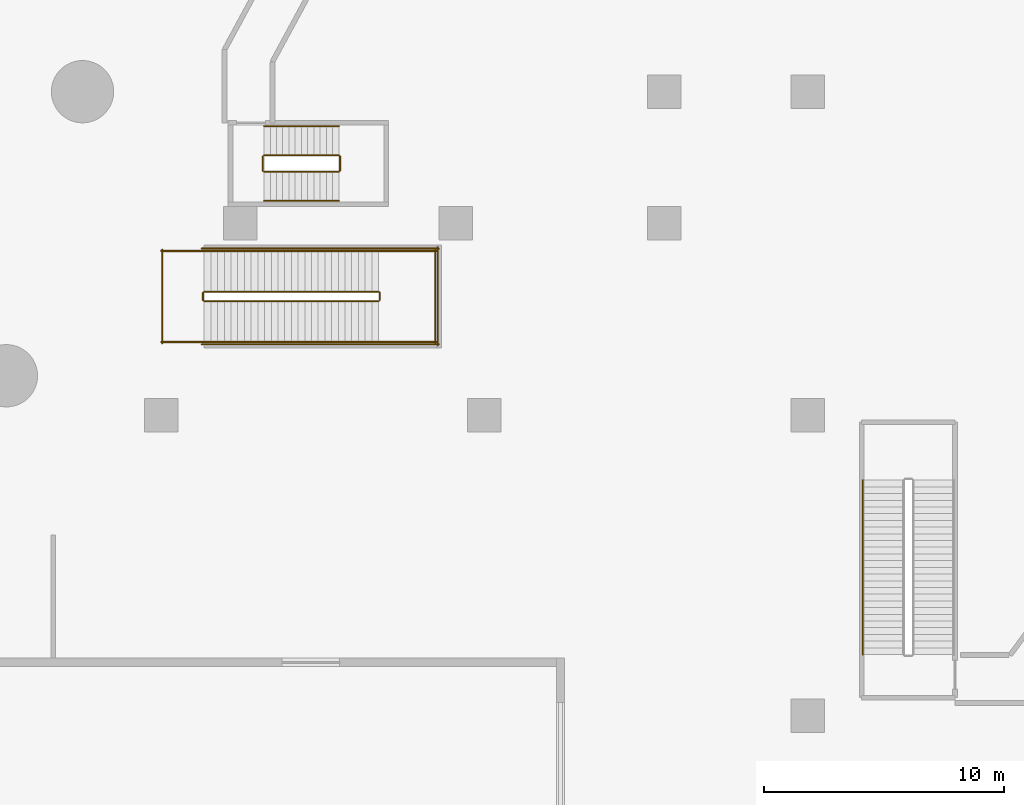
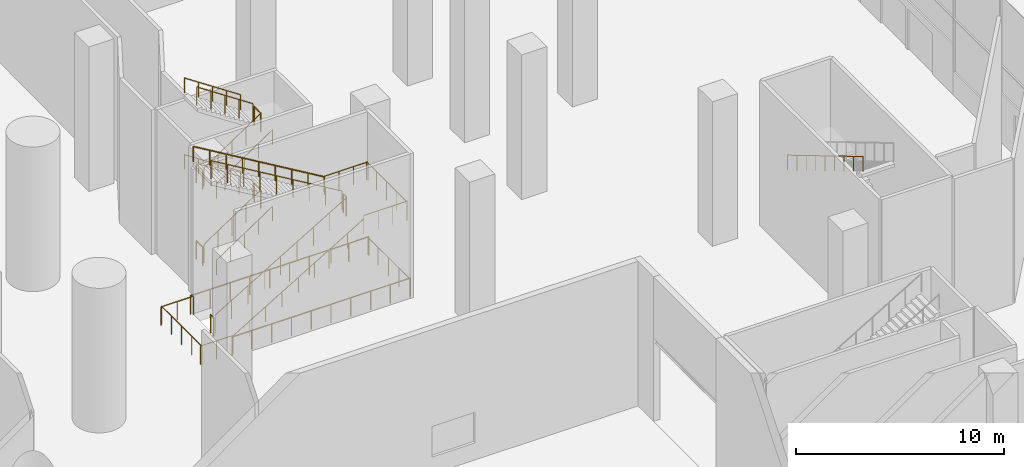
# One storey, part 44 of 54: 28 railings.
"""IFC4 building model written with IfcOpenShell, lengths in metres."""

from ifc_helpers import new_model, si_unit, direction, frame, origin, origin_2d, place, context, subcontext, project, spatial, circle, extrude, material, type_object, element, save


model = new_model("IFC4")

# Units and contexts
model_context = context("Model", 3, precision=1e-05, world=origin(), true_north=direction((0.0, 1.0)))
body_context = subcontext(model_context, "Body", "Model", "MODEL_VIEW")
ifc_project = project(units=[si_unit("LENGTHUNIT", "METRE"), si_unit("AREAUNIT", "SQUARE_METRE"), si_unit("VOLUMEUNIT", "CUBIC_METRE"), si_unit("PLANEANGLEUNIT", "RADIAN"), si_unit("MASSUNIT", "GRAM", prefix="KILO")], contexts=[model_context])

# Site, building, storey
site_placement = place(None, origin())
site = spatial("IfcSite", under=ifc_project, at=site_placement, CompositionType="ELEMENT")
building_placement = place(site_placement, origin())
building = spatial("IfcBuilding", under=site, at=building_placement, Name="Tamarind Cross Interchange Tower", CompositionType="ELEMENT")
storey_placement = place(building_placement, origin())
storey = spatial("IfcBuildingStorey", under=building, at=storey_placement, Name="L00", CompositionType="ELEMENT", Elevation=0.0)

# Railings
ifc_material_1 = material(Name="Public stair guard")
railing_type_1 = type_object("IfcRailingType", Name="Public stair guard", PredefinedType="GUARDRAIL", material=ifc_material_1)
railing_1_placement = place(storey_placement, frame((28.800048828125, -8.75, 0.166748046875)))
element("IfcRailing", 1, at=railing_1_placement, inside=storey, type_object=railing_type_1, Name="L00 PS-E stair guard 1", PredefinedType="GUARDRAIL", context=body_context, shape_type="SweptSolid", body=[
    extrude(circle(Radius=0.02392578125, at=origin_2d()), frame((0.0, 0.0, 1.076171875), z_axis=(0.859298010897, 0.0, 0.511475247171), x_axis=(0.0, 1.0, 0.0)), (0.0, 0.0, 1.0), 8.47216796875),
    extrude(circle(Radius=0.02099609375, at=origin_2d()), origin(), (0.0, 0.0, 1.0), 1.052001953125),
    extrude(circle(Radius=0.02099609375, at=origin_2d()), frame((0.909912109375, 0.0, 0.541748046875)), (0.0, 0.0, 1.0), 1.052001953125),
    extrude(circle(Radius=0.02099609375, at=origin_2d()), frame((1.820068359375, 0.0, 1.083251953125)), (0.0, 0.0, 1.0), 1.052001953125),
    extrude(circle(Radius=0.02099609375, at=origin_2d()), frame((2.72998046875, 0.0, 1.625)), (0.0, 0.0, 1.0), 1.052001953125),
    extrude(circle(Radius=0.02099609375, at=origin_2d()), frame((3.64013671875, 0.0, 2.16650390625)), (0.0, 0.0, 1.0), 1.052001953125),
    extrude(circle(Radius=0.02099609375, at=origin_2d()), frame((4.550048828125, 0.0, 2.708251953125)), (0.0, 0.0, 1.0), 1.052001953125),
    extrude(circle(Radius=0.02099609375, at=origin_2d()), frame((5.4599609375, 0.0, 3.25)), (0.0, 0.0, 1.0), 1.052001953125),
    extrude(circle(Radius=0.02099609375, at=origin_2d()), frame((6.3701171875, 0.0, 3.79150390625)), (0.0, 0.0, 1.0), 1.052001953125),
    extrude(circle(Radius=0.02099609375, at=origin_2d()), frame((7.280029296875, 0.0, 4.333251953125)), (0.0, 0.0, 1.0), 1.052001953125),
])
railing_2_placement = place(storey_placement, frame((36.1298828125, -8.699951171875, 4.5)))
element("IfcRailing", 2, at=railing_2_placement, inside=storey, type_object=railing_type_1, Name="L00 PS-E stair guard 2", PredefinedType="GUARDRAIL", context=body_context, shape_type="SweptSolid", body=[
    extrude(circle(Radius=0.02392578125, at=origin_2d()), frame((0.0, 0.0, 1.076171875), z_axis=(0.0, 1.0, 0.0), x_axis=(-1.0, 0.0, 0.0)), (0.0, 0.0, 1.0), 0.300048828125),
    extrude(circle(Radius=0.02099609375, at=origin_2d()), origin(), (0.0, 0.0, 1.0), 1.052001953125),
    extrude(circle(Radius=0.02099609375, at=origin_2d()), frame((0.0, 0.300048828125, 0.0)), (0.0, 0.0, 1.0), 1.052001953125),
])
for number, where, name in (
    (3, (36.080078125, -10.449951171875, 4.5), "L00 PS-E stair guard 3"),
    (4, (36.080078125, -6.64990234375, 4.5), "L00 PS-E stair guard 4"),
):
    element("IfcRailing", number, at=place(storey_placement, frame(where)), inside=storey, type_object=railing_type_1, Name=name, PredefinedType="GUARDRAIL", context=body_context, shape_type="SweptSolid", body=[
        extrude(circle(Radius=0.02392578125, at=origin_2d()), frame((0.0, 0.0, 1.076171875), z_axis=(1.0, 0.0, 0.0), x_axis=(0.0, 1.0, 0.0)), (0.0, 0.0, 1.0), 2.419921875),
        extrude(circle(Radius=0.02099609375, at=origin_2d()), origin(), (0.0, 0.0, 1.0), 1.052001953125),
        extrude(circle(Radius=0.02099609375, at=origin_2d()), frame((0.806640625, 0.0, 0.0)), (0.0, 0.0, 1.0), 1.052001953125),
        extrude(circle(Radius=0.02099609375, at=origin_2d()), frame((1.61328125, 0.0, 0.0)), (0.0, 0.0, 1.0), 1.052001953125),
        extrude(circle(Radius=0.02099609375, at=origin_2d()), frame((2.419921875, 0.0, 0.0)), (0.0, 0.0, 1.0), 1.052001953125),
    ])
railing_3_placement = place(storey_placement, frame((38.449951171875, -10.5, 4.5)))
element("IfcRailing", 5, at=railing_3_placement, inside=storey, type_object=railing_type_1, Name="L00 PS-E stair guard 5", PredefinedType="GUARDRAIL", context=body_context, shape_type="SweptSolid", body=[
    extrude(circle(Radius=0.02392578125, at=origin_2d()), frame((0.0, 0.0, 1.076171875), z_axis=(0.0, 1.0, 0.0), x_axis=(-1.0, 0.0, 0.0)), (0.0, 0.0, 1.0), 3.89990234375),
    extrude(circle(Radius=0.02099609375, at=origin_2d()), origin(), (0.0, 0.0, 1.0), 1.052001953125),
    extrude(circle(Radius=0.02099609375, at=origin_2d()), frame((0.0, 0.97509765625, 0.0)), (0.0, 0.0, 1.0), 1.052001953125),
    extrude(circle(Radius=0.02099609375, at=origin_2d()), frame((0.0, 1.949951171875, 0.0)), (0.0, 0.0, 1.0), 1.052001953125),
    extrude(circle(Radius=0.02099609375, at=origin_2d()), frame((0.0, 2.9248046875, 0.0)), (0.0, 0.0, 1.0), 1.052001953125),
    extrude(circle(Radius=0.02099609375, at=origin_2d()), frame((0.0, 3.89990234375, 0.0)), (0.0, 0.0, 1.0), 1.052001953125),
])
railing_4_placement = place(storey_placement, frame((36.080078125, -8.35009765625, 4.666748046875)))
element("IfcRailing", 6, at=railing_4_placement, inside=storey, type_object=railing_type_1, Name="L00 PS-E stair guard 6", PredefinedType="GUARDRAIL", context=body_context, shape_type="SweptSolid", body=[
    extrude(circle(Radius=0.02392578125, at=origin_2d()), frame((0.0, 0.0, 1.076171875), z_axis=(-0.859298010897, 0.0, 0.511475247171), x_axis=(0.0, -1.0, 0.0)), (0.0, 0.0, 1.0), 8.47216796875),
    extrude(circle(Radius=0.02099609375, at=origin_2d()), origin(), (0.0, 0.0, 1.0), 1.052001953125),
    extrude(circle(Radius=0.02099609375, at=origin_2d()), frame((-0.909912109375, 0.0, 0.541748046875)), (0.0, 0.0, 1.0), 1.052001953125),
    extrude(circle(Radius=0.02099609375, at=origin_2d()), frame((-1.820068359375, 0.0, 1.083251953125)), (0.0, 0.0, 1.0), 1.052001953125),
    extrude(circle(Radius=0.02099609375, at=origin_2d()), frame((-2.72998046875, 0.0, 1.625)), (0.0, 0.0, 1.0), 1.052001953125),
    extrude(circle(Radius=0.02099609375, at=origin_2d()), frame((-3.64013671875, 0.0, 2.16650390625)), (0.0, 0.0, 1.0), 1.052001953125),
    extrude(circle(Radius=0.02099609375, at=origin_2d()), frame((-4.550048828125, 0.0, 2.708251953125)), (0.0, 0.0, 1.0), 1.052001953125),
    extrude(circle(Radius=0.02099609375, at=origin_2d()), frame((-5.4599609375, 0.0, 3.25)), (0.0, 0.0, 1.0), 1.052001953125),
    extrude(circle(Radius=0.02099609375, at=origin_2d()), frame((-6.3701171875, 0.0, 3.79150390625)), (0.0, 0.0, 1.0), 1.052001953125),
    extrude(circle(Radius=0.02099609375, at=origin_2d()), frame((-7.280029296875, 0.0, 4.333251953125)), (0.0, 0.0, 1.0), 1.052001953125),
])
railing_5_placement = place(storey_placement, frame((28.75, -8.699951171875, 0.0)))
element("IfcRailing", 7, at=railing_5_placement, inside=storey, type_object=railing_type_1, Name="L00 PS-E stair guard 7", PredefinedType="GUARDRAIL", context=body_context, shape_type="SweptSolid", body=[
    extrude(circle(Radius=0.02392578125, at=origin_2d()), frame((0.0, 0.0, 1.076171875), z_axis=(0.0, 1.0, 0.0), x_axis=(-1.0, 0.0, 0.0)), (0.0, 0.0, 1.0), 0.300048828125),
    extrude(circle(Radius=0.02099609375, at=origin_2d()), origin(), (0.0, 0.0, 1.0), 1.052001953125),
    extrude(circle(Radius=0.02099609375, at=origin_2d()), frame((0.0, 0.300048828125, 0.0)), (0.0, 0.0, 1.0), 1.052001953125),
])
for number, where, name in (
    (8, (27.0, -10.449951171875, 0.0), "L00 PS-E stair guard 8"),
    (9, (27.0, -6.64990234375, 0.0), "L00 PS-E stair guard 9"),
):
    element("IfcRailing", number, at=place(storey_placement, frame(where)), inside=storey, type_object=railing_type_1, Name=name, PredefinedType="GUARDRAIL", context=body_context, shape_type="SweptSolid", body=[
        extrude(circle(Radius=0.02392578125, at=origin_2d()), frame((0.0, 0.0, 1.076171875), z_axis=(1.0, 0.0, 0.0), x_axis=(0.0, 1.0, 0.0)), (0.0, 0.0, 1.0), 1.800048828125),
        extrude(circle(Radius=0.02099609375, at=origin_2d()), origin(), (0.0, 0.0, 1.0), 1.052001953125),
        extrude(circle(Radius=0.02099609375, at=origin_2d()), frame((0.89990234375, 0.0, 0.0)), (0.0, 0.0, 1.0), 1.052001953125),
        extrude(circle(Radius=0.02099609375, at=origin_2d()), frame((1.800048828125, 0.0, 0.0)), (0.0, 0.0, 1.0), 1.052001953125),
    ])
railing_6_placement = place(storey_placement, frame((27.050048828125, -10.5, 0.0)))
element("IfcRailing", 10, at=railing_6_placement, inside=storey, type_object=railing_type_1, Name="L00 PS-E stair guard 10", PredefinedType="GUARDRAIL", context=body_context, shape_type="SweptSolid", body=[
    extrude(circle(Radius=0.02392578125, at=origin_2d()), frame((0.0, 0.0, 1.076171875), z_axis=(0.0, 1.0, 0.0), x_axis=(-1.0, 0.0, 0.0)), (0.0, 0.0, 1.0), 3.89990234375),
    extrude(circle(Radius=0.02099609375, at=origin_2d()), origin(), (0.0, 0.0, 1.0), 1.052001953125),
    extrude(circle(Radius=0.02099609375, at=origin_2d()), frame((0.0, 0.97509765625, 0.0)), (0.0, 0.0, 1.0), 1.052001953125),
    extrude(circle(Radius=0.02099609375, at=origin_2d()), frame((0.0, 1.949951171875, 0.0)), (0.0, 0.0, 1.0), 1.052001953125),
    extrude(circle(Radius=0.02099609375, at=origin_2d()), frame((0.0, 2.9248046875, 0.0)), (0.0, 0.0, 1.0), 1.052001953125),
    extrude(circle(Radius=0.02099609375, at=origin_2d()), frame((0.0, 3.89990234375, 0.0)), (0.0, 0.0, 1.0), 1.052001953125),
])
for number, where, name in (
    (11, (28.699951171875, -10.550048828125, 0.0), "L00 PS-E stair guard 11"),
    (12, (28.699951171875, -6.550048828125, 0.0), "L00 PS-E stair guard 12"),
):
    element("IfcRailing", number, at=place(storey_placement, frame(where)), inside=storey, type_object=railing_type_1, Name=name, PredefinedType="GUARDRAIL", context=body_context, shape_type="SweptSolid", body=[
        extrude(circle(Radius=0.02392578125, at=origin_2d()), frame((0.0, 0.0, 1.076171875), z_axis=(1.0, 0.0, 0.0), x_axis=(0.0, 1.0, 0.0)), (0.0, 0.0, 1.0), 9.900146484375),
        extrude(circle(Radius=0.02099609375, at=origin_2d()), origin(), (0.0, 0.0, 1.0), 1.052001953125),
        extrude(circle(Radius=0.02099609375, at=origin_2d()), frame((1.10009765625, 0.0, 0.0)), (0.0, 0.0, 1.0), 1.052001953125),
        extrude(circle(Radius=0.02099609375, at=origin_2d()), frame((2.199951171875, 0.0, 0.0)), (0.0, 0.0, 1.0), 1.052001953125),
        extrude(circle(Radius=0.02099609375, at=origin_2d()), frame((3.300048828125, 0.0, 0.0)), (0.0, 0.0, 1.0), 1.052001953125),
        extrude(circle(Radius=0.02099609375, at=origin_2d()), frame((4.400146484375, 0.0, 0.0)), (0.0, 0.0, 1.0), 1.052001953125),
        extrude(circle(Radius=0.02099609375, at=origin_2d()), frame((5.5, 0.0, 0.0)), (0.0, 0.0, 1.0), 1.052001953125),
        extrude(circle(Radius=0.02099609375, at=origin_2d()), frame((6.60009765625, 0.0, 0.0)), (0.0, 0.0, 1.0), 1.052001953125),
        extrude(circle(Radius=0.02099609375, at=origin_2d()), frame((7.7001953125, 0.0, 0.0)), (0.0, 0.0, 1.0), 1.052001953125),
        extrude(circle(Radius=0.02099609375, at=origin_2d()), frame((8.800048828125, 0.0, 0.0)), (0.0, 0.0, 1.0), 1.052001953125),
        extrude(circle(Radius=0.02099609375, at=origin_2d()), frame((9.900146484375, 0.0, 0.0)), (0.0, 0.0, 1.0), 1.052001953125),
    ])
railing_7_placement = place(storey_placement, frame((38.550048828125, -10.60009765625, 0.0)))
element("IfcRailing", 13, at=railing_7_placement, inside=storey, type_object=railing_type_1, Name="L00 PS-E stair guard 13", PredefinedType="GUARDRAIL", context=body_context, shape_type="SweptSolid", body=[
    extrude(circle(Radius=0.02392578125, at=origin_2d()), frame((0.0, 0.0, 1.076171875), z_axis=(0.0, 1.0, 0.0), x_axis=(-1.0, 0.0, 0.0)), (0.0, 0.0, 1.0), 4.10009765625),
    extrude(circle(Radius=0.02099609375, at=origin_2d()), origin(), (0.0, 0.0, 1.0), 1.052001953125),
    extrude(circle(Radius=0.02099609375, at=origin_2d()), frame((0.0, 1.02490234375, 0.0)), (0.0, 0.0, 1.0), 1.052001953125),
    extrude(circle(Radius=0.02099609375, at=origin_2d()), frame((0.0, 2.050048828125, 0.0)), (0.0, 0.0, 1.0), 1.052001953125),
    extrude(circle(Radius=0.02099609375, at=origin_2d()), frame((0.0, 3.0751953125, 0.0)), (0.0, 0.0, 1.0), 1.052001953125),
    extrude(circle(Radius=0.02099609375, at=origin_2d()), frame((0.0, 4.10009765625, 0.0)), (0.0, 0.0, 1.0), 1.052001953125),
])
ifc_material_2 = material(Name="Public stair handrail")
railing_type_2 = type_object("IfcRailingType", Name="Public stair handrail", PredefinedType="HANDRAIL", material=ifc_material_2)
railing_8_placement = place(storey_placement, frame((28.800048828125, -10.449951171875, 0.166748046875)))
element("IfcRailing", 14, at=railing_8_placement, inside=storey, type_object=railing_type_2, Name="L00 PS-E stair handrail 1", PredefinedType="HANDRAIL", context=body_context, shape_type="SweptSolid", body=[
    extrude(circle(Radius=0.02392578125, at=origin_2d()), frame((0.0, 0.0, 0.8759765625), z_axis=(0.859298010897, 0.0, 0.511475247171), x_axis=(0.0, 1.0, 0.0)), (0.0, 0.0, 1.0), 8.47216796875),
    extrude(circle(Radius=0.02099609375, at=origin_2d()), origin(), (0.0, 0.0, 1.0), 0.851806640625),
    extrude(circle(Radius=0.02099609375, at=origin_2d()), frame((0.909912109375, 0.0, 0.541748046875)), (0.0, 0.0, 1.0), 0.851806640625),
    extrude(circle(Radius=0.02099609375, at=origin_2d()), frame((1.820068359375, 0.0, 1.083251953125)), (0.0, 0.0, 1.0), 0.851806640625),
    extrude(circle(Radius=0.02099609375, at=origin_2d()), frame((2.72998046875, 0.0, 1.625)), (0.0, 0.0, 1.0), 0.851806640625),
    extrude(circle(Radius=0.02099609375, at=origin_2d()), frame((3.64013671875, 0.0, 2.16650390625)), (0.0, 0.0, 1.0), 0.851806640625),
    extrude(circle(Radius=0.02099609375, at=origin_2d()), frame((4.550048828125, 0.0, 2.708251953125)), (0.0, 0.0, 1.0), 0.851806640625),
    extrude(circle(Radius=0.02099609375, at=origin_2d()), frame((5.4599609375, 0.0, 3.25)), (0.0, 0.0, 1.0), 0.851806640625),
    extrude(circle(Radius=0.02099609375, at=origin_2d()), frame((6.3701171875, 0.0, 3.79150390625)), (0.0, 0.0, 1.0), 0.851806640625),
    extrude(circle(Radius=0.02099609375, at=origin_2d()), frame((7.280029296875, 0.0, 4.333251953125)), (0.0, 0.0, 1.0), 0.851806640625),
])
railing_9_placement = place(storey_placement, frame((36.080078125, -6.64990234375, 4.666748046875)))
element("IfcRailing", 15, at=railing_9_placement, inside=storey, type_object=railing_type_2, Name="L00 PS-E stair handrail 2", PredefinedType="HANDRAIL", context=body_context, shape_type="SweptSolid", body=[
    extrude(circle(Radius=0.02392578125, at=origin_2d()), frame((0.0, 0.0, 0.8759765625), z_axis=(-0.859298010897, 0.0, 0.511475247171), x_axis=(0.0, -1.0, 0.0)), (0.0, 0.0, 1.0), 8.47216796875),
    extrude(circle(Radius=0.02099609375, at=origin_2d()), origin(), (0.0, 0.0, 1.0), 0.851806640625),
    extrude(circle(Radius=0.02099609375, at=origin_2d()), frame((-0.909912109375, 0.0, 0.541748046875)), (0.0, 0.0, 1.0), 0.851806640625),
    extrude(circle(Radius=0.02099609375, at=origin_2d()), frame((-1.820068359375, 0.0, 1.083251953125)), (0.0, 0.0, 1.0), 0.851806640625),
    extrude(circle(Radius=0.02099609375, at=origin_2d()), frame((-2.72998046875, 0.0, 1.625)), (0.0, 0.0, 1.0), 0.851806640625),
    extrude(circle(Radius=0.02099609375, at=origin_2d()), frame((-3.64013671875, 0.0, 2.16650390625)), (0.0, 0.0, 1.0), 0.851806640625),
    extrude(circle(Radius=0.02099609375, at=origin_2d()), frame((-4.550048828125, 0.0, 2.708251953125)), (0.0, 0.0, 1.0), 0.851806640625),
    extrude(circle(Radius=0.02099609375, at=origin_2d()), frame((-5.4599609375, 0.0, 3.25)), (0.0, 0.0, 1.0), 0.851806640625),
    extrude(circle(Radius=0.02099609375, at=origin_2d()), frame((-6.3701171875, 0.0, 3.79150390625)), (0.0, 0.0, 1.0), 0.851806640625),
    extrude(circle(Radius=0.02099609375, at=origin_2d()), frame((-7.280029296875, 0.0, 4.333251953125)), (0.0, 0.0, 1.0), 0.851806640625),
])
railing_10_placement = place(storey_placement, frame((56.300048828125, -16.219970703125, 4.666748046875)))
element("IfcRailing", 16, at=railing_10_placement, inside=storey, type_object=railing_type_2, Name="L00 XS-P11 stair handrail 2", PredefinedType="HANDRAIL", context=body_context, shape_type="SweptSolid", body=[
    extrude(circle(Radius=0.02392578125, at=origin_2d()), frame((0.0, 0.0, 0.8759765625), z_axis=(0.0, -0.859298010897, 0.511475247171), x_axis=(1.0, 0.0, 0.0)), (0.0, 0.0, 1.0), 8.47216796875),
    extrude(circle(Radius=0.02099609375, at=origin_2d()), origin(), (0.0, 0.0, 1.0), 0.851806640625),
    extrude(circle(Radius=0.02099609375, at=origin_2d()), frame((0.0, -0.909912109375, 0.541748046875)), (0.0, 0.0, 1.0), 0.851806640625),
    extrude(circle(Radius=0.02099609375, at=origin_2d()), frame((0.0, -1.820068359375, 1.083251953125)), (0.0, 0.0, 1.0), 0.851806640625),
    extrude(circle(Radius=0.02099609375, at=origin_2d()), frame((0.0, -2.72998046875, 1.625)), (0.0, 0.0, 1.0), 0.851806640625),
    extrude(circle(Radius=0.02099609375, at=origin_2d()), frame((0.0, -3.64013671875, 2.16650390625)), (0.0, 0.0, 1.0), 0.851806640625),
    extrude(circle(Radius=0.02099609375, at=origin_2d()), frame((0.0, -4.550048828125, 2.708251953125)), (0.0, 0.0, 1.0), 0.851806640625),
    extrude(circle(Radius=0.02099609375, at=origin_2d()), frame((0.0, -5.4599609375, 3.25)), (0.0, 0.0, 1.0), 0.851806640625),
    extrude(circle(Radius=0.02099609375, at=origin_2d()), frame((0.0, -6.3701171875, 3.79150390625)), (0.0, 0.0, 1.0), 0.851806640625),
    extrude(circle(Radius=0.02099609375, at=origin_2d()), frame((0.0, -7.280029296875, 4.333251953125)), (0.0, 0.0, 1.0), 0.851806640625),
])
ifc_material_3 = material(Name="Stair guard")
railing_type_3 = type_object("IfcRailingType", Name="Stair guard", PredefinedType="GUARDRAIL", material=ifc_material_3)
railing_11_placement = place(storey_placement, frame((31.300048828125, -3.35009765625, 0.173095703125)))
element("IfcRailing", 17, at=railing_11_placement, inside=storey, type_object=railing_type_3, Name="L00 ST3 stair guard 1", PredefinedType="GUARDRAIL", context=body_context, shape_type="SweptSolid", body=[
    extrude(circle(Radius=0.02392578125, at=origin_2d()), frame((0.0, 0.0, 1.076171875), z_axis=(0.832420903958, 0.0, 0.554143879018), x_axis=(0.0, 1.0, 0.0)), (0.0, 0.0, 1.0), 3.748046875),
    extrude(circle(Radius=0.02099609375, at=origin_2d()), origin(), (0.0, 0.0, 1.0), 1.052001953125),
    extrude(circle(Radius=0.02099609375, at=origin_2d()), frame((0.780029296875, 0.0, 0.519287109375)), (0.0, 0.0, 1.0), 1.052001953125),
    extrude(circle(Radius=0.02099609375, at=origin_2d()), frame((1.56005859375, 0.0, 1.03857421875)), (0.0, 0.0, 1.0), 1.052001953125),
    extrude(circle(Radius=0.02099609375, at=origin_2d()), frame((2.33984375, 0.0, 1.5576171875)), (0.0, 0.0, 1.0), 1.052001953125),
    extrude(circle(Radius=0.02099609375, at=origin_2d()), frame((3.119873046875, 0.0, 2.076904296875)), (0.0, 0.0, 1.0), 1.052001953125),
])
railing_12_placement = place(storey_placement, frame((34.469970703125, -3.300048828125, 2.25)))
element("IfcRailing", 18, at=railing_12_placement, inside=storey, type_object=railing_type_3, Name="L00 ST3 stair guard 2", PredefinedType="GUARDRAIL", context=body_context, shape_type="SweptSolid", body=[
    extrude(circle(Radius=0.02392578125, at=origin_2d()), frame((0.0, 0.0, 1.076171875), z_axis=(0.0, 1.0, 0.0), x_axis=(-1.0, 0.0, 0.0)), (0.0, 0.0, 1.0), 0.60009765625),
    extrude(circle(Radius=0.02099609375, at=origin_2d()), origin(), (0.0, 0.0, 1.0), 1.052001953125),
    extrude(circle(Radius=0.02099609375, at=origin_2d()), frame((0.0, 0.60009765625, 0.0)), (0.0, 0.0, 1.0), 1.052001953125),
])
railing_13_placement = place(storey_placement, frame((34.419921875, -2.64990234375, 2.423095703125)))
element("IfcRailing", 19, at=railing_13_placement, inside=storey, type_object=railing_type_3, Name="L00 ST3 stair guard 3", PredefinedType="GUARDRAIL", context=body_context, shape_type="SweptSolid", body=[
    extrude(circle(Radius=0.02392578125, at=origin_2d()), frame((0.0, 0.0, 1.076171875), z_axis=(-0.832420903958, 0.0, 0.554143879018), x_axis=(0.0, -1.0, 0.0)), (0.0, 0.0, 1.0), 3.748046875),
    extrude(circle(Radius=0.02099609375, at=origin_2d()), origin(), (0.0, 0.0, 1.0), 1.052001953125),
    extrude(circle(Radius=0.02099609375, at=origin_2d()), frame((-0.780029296875, 0.0, 0.519287109375)), (0.0, 0.0, 1.0), 1.052001953125),
    extrude(circle(Radius=0.02099609375, at=origin_2d()), frame((-1.56005859375, 0.0, 1.03857421875)), (0.0, 0.0, 1.0), 1.052001953125),
    extrude(circle(Radius=0.02099609375, at=origin_2d()), frame((-2.33984375, 0.0, 1.5576171875)), (0.0, 0.0, 1.0), 1.052001953125),
    extrude(circle(Radius=0.02099609375, at=origin_2d()), frame((-3.119873046875, 0.0, 2.076904296875)), (0.0, 0.0, 1.0), 1.052001953125),
])
railing_14_placement = place(storey_placement, frame((31.25, -3.300048828125, 4.5)))
element("IfcRailing", 20, at=railing_14_placement, inside=storey, type_object=railing_type_3, Name="L00 ST3 stair guard 4", PredefinedType="GUARDRAIL", context=body_context, shape_type="SweptSolid", body=[
    extrude(circle(Radius=0.02392578125, at=origin_2d()), frame((0.0, 0.0, 1.076171875), z_axis=(0.0, 1.0, 0.0), x_axis=(-1.0, 0.0, 0.0)), (0.0, 0.0, 1.0), 0.60009765625),
    extrude(circle(Radius=0.02099609375, at=origin_2d()), origin(), (0.0, 0.0, 1.0), 1.052001953125),
    extrude(circle(Radius=0.02099609375, at=origin_2d()), frame((0.0, 0.60009765625, 0.0)), (0.0, 0.0, 1.0), 1.052001953125),
])
railing_15_placement = place(storey_placement, frame((31.300048828125, -3.35009765625, 4.673095703125)))
element("IfcRailing", 21, at=railing_15_placement, inside=storey, type_object=railing_type_3, Name="L00 ST3 stair guard 5", PredefinedType="GUARDRAIL", context=body_context, shape_type="SweptSolid", body=[
    extrude(circle(Radius=0.02392578125, at=origin_2d()), frame((0.0, 0.0, 1.076171875), z_axis=(0.832420903958, 0.0, 0.554143879018), x_axis=(0.0, 1.0, 0.0)), (0.0, 0.0, 1.0), 3.748046875),
    extrude(circle(Radius=0.02099609375, at=origin_2d()), origin(), (0.0, 0.0, 1.0), 1.052001953125),
    extrude(circle(Radius=0.02099609375, at=origin_2d()), frame((0.780029296875, 0.0, 0.519287109375)), (0.0, 0.0, 1.0), 1.052001953125),
    extrude(circle(Radius=0.02099609375, at=origin_2d()), frame((1.56005859375, 0.0, 1.03857421875)), (0.0, 0.0, 1.0), 1.052001953125),
    extrude(circle(Radius=0.02099609375, at=origin_2d()), frame((2.33984375, 0.0, 1.5576171875)), (0.0, 0.0, 1.0), 1.052001953125),
    extrude(circle(Radius=0.02099609375, at=origin_2d()), frame((3.119873046875, 0.0, 2.076904296875)), (0.0, 0.0, 1.0), 1.052001953125),
])
railing_16_placement = place(storey_placement, frame((34.469970703125, -3.300048828125, 6.75)))
element("IfcRailing", 22, at=railing_16_placement, inside=storey, type_object=railing_type_3, Name="L00 ST3 stair guard 6", PredefinedType="GUARDRAIL", context=body_context, shape_type="SweptSolid", body=[
    extrude(circle(Radius=0.02392578125, at=origin_2d()), frame((0.0, 0.0, 1.076171875), z_axis=(0.0, 1.0, 0.0), x_axis=(-1.0, 0.0, 0.0)), (0.0, 0.0, 1.0), 0.60009765625),
    extrude(circle(Radius=0.02099609375, at=origin_2d()), origin(), (0.0, 0.0, 1.0), 1.052001953125),
    extrude(circle(Radius=0.02099609375, at=origin_2d()), frame((0.0, 0.60009765625, 0.0)), (0.0, 0.0, 1.0), 1.052001953125),
])
railing_17_placement = place(storey_placement, frame((34.419921875, -2.64990234375, 6.923095703125)))
element("IfcRailing", 23, at=railing_17_placement, inside=storey, type_object=railing_type_3, Name="L00 ST3 stair guard 7", PredefinedType="GUARDRAIL", context=body_context, shape_type="SweptSolid", body=[
    extrude(circle(Radius=0.02392578125, at=origin_2d()), frame((0.0, 0.0, 1.076171875), z_axis=(-0.832420903958, 0.0, 0.554143879018), x_axis=(0.0, -1.0, 0.0)), (0.0, 0.0, 1.0), 3.748046875),
    extrude(circle(Radius=0.02099609375, at=origin_2d()), origin(), (0.0, 0.0, 1.0), 1.052001953125),
    extrude(circle(Radius=0.02099609375, at=origin_2d()), frame((-0.780029296875, 0.0, 0.519287109375)), (0.0, 0.0, 1.0), 1.052001953125),
    extrude(circle(Radius=0.02099609375, at=origin_2d()), frame((-1.56005859375, 0.0, 1.03857421875)), (0.0, 0.0, 1.0), 1.052001953125),
    extrude(circle(Radius=0.02099609375, at=origin_2d()), frame((-2.33984375, 0.0, 1.5576171875)), (0.0, 0.0, 1.0), 1.052001953125),
    extrude(circle(Radius=0.02099609375, at=origin_2d()), frame((-3.119873046875, 0.0, 2.076904296875)), (0.0, 0.0, 1.0), 1.052001953125),
])
railing_18_placement = place(storey_placement, frame((31.25, -3.300048828125, 0.0)))
element("IfcRailing", 24, at=railing_18_placement, inside=storey, type_object=railing_type_3, Name="L00 ST3 stair guard 8", PredefinedType="GUARDRAIL", context=body_context, shape_type="SweptSolid", body=[
    extrude(circle(Radius=0.02392578125, at=origin_2d()), frame((0.0, 0.0, 1.076171875), z_axis=(0.0, 1.0, 0.0), x_axis=(-1.0, 0.0, 0.0)), (0.0, 0.0, 1.0), 0.60009765625),
    extrude(circle(Radius=0.02099609375, at=origin_2d()), origin(), (0.0, 0.0, 1.0), 1.052001953125),
    extrude(circle(Radius=0.02099609375, at=origin_2d()), frame((0.0, 0.60009765625, 0.0)), (0.0, 0.0, 1.0), 1.052001953125),
])
ifc_material_4 = material(Name="Stair handrail")
railing_type_4 = type_object("IfcRailingType", Name="Stair handrail", PredefinedType="HANDRAIL", material=ifc_material_4)
railing_19_placement = place(storey_placement, frame((31.300048828125, -4.550048828125, 0.173095703125)))
element("IfcRailing", 25, at=railing_19_placement, inside=storey, type_object=railing_type_4, Name="L00 ST3 stair handrail 1", PredefinedType="HANDRAIL", context=body_context, shape_type="SweptSolid", body=[
    extrude(circle(Radius=0.02392578125, at=origin_2d()), frame((0.0, 0.0, 0.8759765625), z_axis=(0.832420903958, 0.0, 0.554143879018), x_axis=(0.0, 1.0, 0.0)), (0.0, 0.0, 1.0), 3.748046875),
    extrude(circle(Radius=0.02099609375, at=origin_2d()), origin(), (0.0, 0.0, 1.0), 0.851806640625),
    extrude(circle(Radius=0.02099609375, at=origin_2d()), frame((0.780029296875, 0.0, 0.519287109375)), (0.0, 0.0, 1.0), 0.851806640625),
    extrude(circle(Radius=0.02099609375, at=origin_2d()), frame((1.56005859375, 0.0, 1.03857421875)), (0.0, 0.0, 1.0), 0.851806640625),
    extrude(circle(Radius=0.02099609375, at=origin_2d()), frame((2.33984375, 0.0, 1.5576171875)), (0.0, 0.0, 1.0), 0.851806640625),
    extrude(circle(Radius=0.02099609375, at=origin_2d()), frame((3.119873046875, 0.0, 2.076904296875)), (0.0, 0.0, 1.0), 0.851806640625),
])
railing_20_placement = place(storey_placement, frame((34.419921875, -1.449951171875, 2.423095703125)))
element("IfcRailing", 26, at=railing_20_placement, inside=storey, type_object=railing_type_4, Name="L00 ST3 stair handrail 2", PredefinedType="HANDRAIL", context=body_context, shape_type="SweptSolid", body=[
    extrude(circle(Radius=0.02392578125, at=origin_2d()), frame((0.0, 0.0, 0.8759765625), z_axis=(-0.832420903958, 0.0, 0.554143879018), x_axis=(0.0, -1.0, 0.0)), (0.0, 0.0, 1.0), 3.748046875),
    extrude(circle(Radius=0.02099609375, at=origin_2d()), origin(), (0.0, 0.0, 1.0), 0.851806640625),
    extrude(circle(Radius=0.02099609375, at=origin_2d()), frame((-0.780029296875, 0.0, 0.519287109375)), (0.0, 0.0, 1.0), 0.851806640625),
    extrude(circle(Radius=0.02099609375, at=origin_2d()), frame((-1.56005859375, 0.0, 1.03857421875)), (0.0, 0.0, 1.0), 0.851806640625),
    extrude(circle(Radius=0.02099609375, at=origin_2d()), frame((-2.33984375, 0.0, 1.5576171875)), (0.0, 0.0, 1.0), 0.851806640625),
    extrude(circle(Radius=0.02099609375, at=origin_2d()), frame((-3.119873046875, 0.0, 2.076904296875)), (0.0, 0.0, 1.0), 0.851806640625),
])
railing_21_placement = place(storey_placement, frame((31.300048828125, -4.550048828125, 4.673095703125)))
element("IfcRailing", 27, at=railing_21_placement, inside=storey, type_object=railing_type_4, Name="L00 ST3 stair handrail 3", PredefinedType="HANDRAIL", context=body_context, shape_type="SweptSolid", body=[
    extrude(circle(Radius=0.02392578125, at=origin_2d()), frame((0.0, 0.0, 0.8759765625), z_axis=(0.832420903958, 0.0, 0.554143879018), x_axis=(0.0, 1.0, 0.0)), (0.0, 0.0, 1.0), 3.748046875),
    extrude(circle(Radius=0.02099609375, at=origin_2d()), origin(), (0.0, 0.0, 1.0), 0.851806640625),
    extrude(circle(Radius=0.02099609375, at=origin_2d()), frame((0.780029296875, 0.0, 0.519287109375)), (0.0, 0.0, 1.0), 0.851806640625),
    extrude(circle(Radius=0.02099609375, at=origin_2d()), frame((1.56005859375, 0.0, 1.03857421875)), (0.0, 0.0, 1.0), 0.851806640625),
    extrude(circle(Radius=0.02099609375, at=origin_2d()), frame((2.33984375, 0.0, 1.5576171875)), (0.0, 0.0, 1.0), 0.851806640625),
    extrude(circle(Radius=0.02099609375, at=origin_2d()), frame((3.119873046875, 0.0, 2.076904296875)), (0.0, 0.0, 1.0), 0.851806640625),
])
railing_22_placement = place(storey_placement, frame((34.419921875, -1.449951171875, 6.923095703125)))
element("IfcRailing", 28, at=railing_22_placement, inside=storey, type_object=railing_type_4, Name="L00 ST3 stair handrail 4", PredefinedType="HANDRAIL", context=body_context, shape_type="SweptSolid", body=[
    extrude(circle(Radius=0.02392578125, at=origin_2d()), frame((0.0, 0.0, 0.8759765625), z_axis=(-0.832420903958, 0.0, 0.554143879018), x_axis=(0.0, -1.0, 0.0)), (0.0, 0.0, 1.0), 3.748046875),
    extrude(circle(Radius=0.02099609375, at=origin_2d()), origin(), (0.0, 0.0, 1.0), 0.851806640625),
    extrude(circle(Radius=0.02099609375, at=origin_2d()), frame((-0.780029296875, 0.0, 0.519287109375)), (0.0, 0.0, 1.0), 0.851806640625),
    extrude(circle(Radius=0.02099609375, at=origin_2d()), frame((-1.56005859375, 0.0, 1.03857421875)), (0.0, 0.0, 1.0), 0.851806640625),
    extrude(circle(Radius=0.02099609375, at=origin_2d()), frame((-2.33984375, 0.0, 1.5576171875)), (0.0, 0.0, 1.0), 0.851806640625),
    extrude(circle(Radius=0.02099609375, at=origin_2d()), frame((-3.119873046875, 0.0, 2.076904296875)), (0.0, 0.0, 1.0), 0.851806640625),
])

save(model, "model.ifc")
